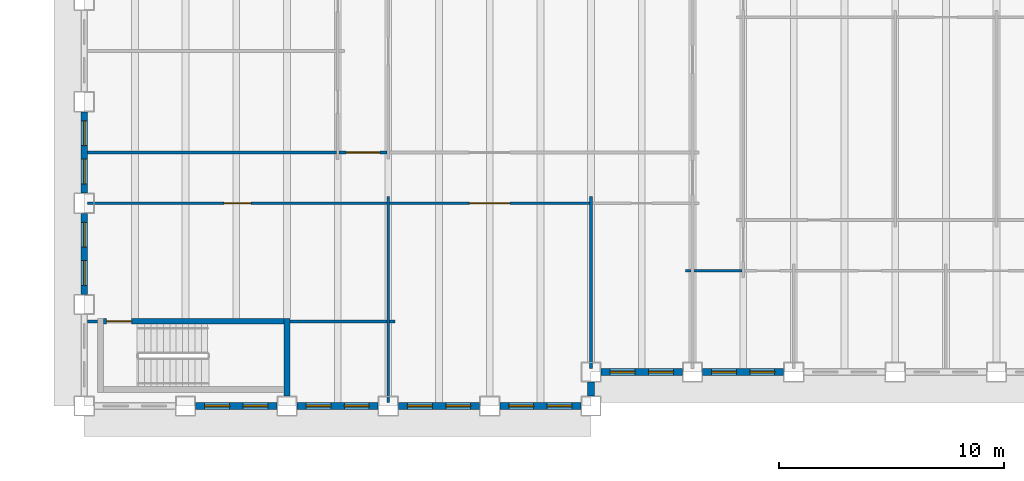
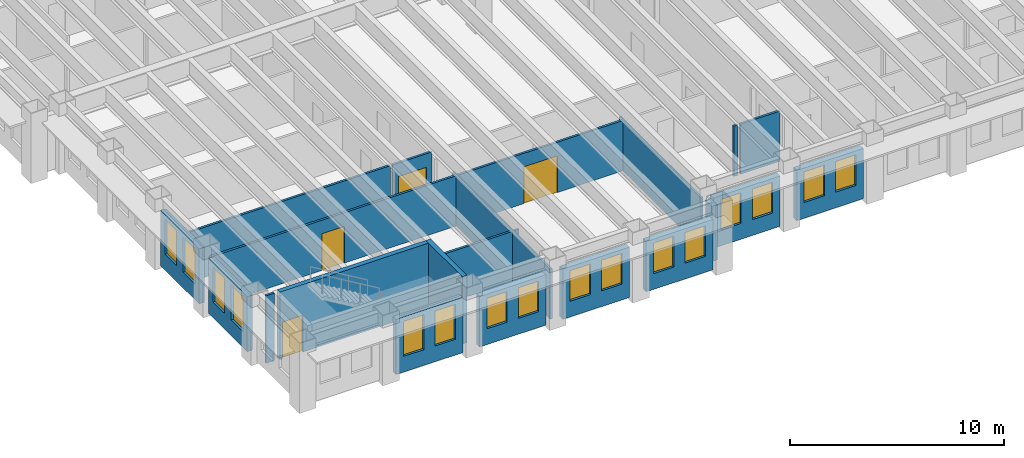
# One storey, part 3 of 16: 22 walls, 16 windows, 4 doors, 20 openings.
"""IFC4 building model written with IfcOpenShell, lengths in metres."""

from ifc_helpers import new_model, si_unit, direction, frame, frame_2d, origin, place, context, subcontext, project, spatial, rectangle, extrude, material, layer, layer_set, type_object, element, fill, save


model = new_model("IFC4")

# Units and contexts
model_context = context("Model", 3, precision=1e-05, world=origin(), true_north=direction((0.0, 1.0)))
body_context = subcontext(model_context, "Body", "Model", "MODEL_VIEW")
ifc_project = project(units=[si_unit("LENGTHUNIT", "METRE"), si_unit("AREAUNIT", "SQUARE_METRE"), si_unit("VOLUMEUNIT", "CUBIC_METRE"), si_unit("PLANEANGLEUNIT", "RADIAN"), si_unit("MASSUNIT", "GRAM", prefix="KILO")], contexts=[model_context])

# Site, building, storey
site_placement = place(None, origin())
site = spatial("IfcSite", under=ifc_project, at=site_placement, CompositionType="ELEMENT")
building_placement = place(site_placement, origin())
building = spatial("IfcBuilding", under=site, at=building_placement, Name="Sennacour Bend Tower", CompositionType="ELEMENT")
storey_placement = place(building_placement, frame((0.0, 0.0, 179.0)))
storey = spatial("IfcBuildingStorey", under=building, at=storey_placement, Name="L41", CompositionType="ELEMENT", Elevation=179.0)

# Walls
ifc_material_1 = material(Name="Plasterboard partition on steel studs", Category="steel")
ifc_layer_1 = layer(ifc_material_1, 0.1201171875, Name="Plasterboard partition on steel studs", Category="steel")
ifc_layer_set_1 = layer_set([ifc_layer_1], Name="Plasterboard partition on steel studs")
wall_type_1 = type_object("IfcWallType", Name="Partition 120", PredefinedType="PARTITIONING", material=ifc_layer_set_1)
wall_1_placement = place(storey_placement, frame((13.5, 0.14990234375, 0.0), z_axis=(0.0, 0.0, 1.0), x_axis=(0.0, 1.0, 0.0)))
element("IfcWall", 1, at=wall_1_placement, inside=storey, type_object=wall_type_1, Name="P-L41-W016a", PredefinedType="PARTITIONING", context=body_context, shape_type="SweptSolid", body=[
    extrude(rectangle(XDim=9.150146484375, YDim=0.1201171875, at=frame_2d((4.5751953125, 0.0))), origin(), (0.0, 0.0, 1.0), 2.8701171875),
])
wall_2_placement = place(storey_placement, frame((22.5, 1.64990234375, 0.0), z_axis=(0.0, 0.0, 1.0), x_axis=(0.0, 1.0, 0.0)))
element("IfcWall", 2, at=wall_2_placement, inside=storey, type_object=wall_type_1, Name="P-L41-W025a", PredefinedType="PARTITIONING", context=body_context, shape_type="SweptSolid", body=[
    extrude(rectangle(XDim=7.650146484375, YDim=0.1201171875, at=frame_2d((3.8251953125, 0.0))), origin(), (0.0, 0.0, 1.0), 2.8701171875),
])
wall_3_placement = place(storey_placement, frame((0.14990234375, 3.75, 0.0), z_axis=(0.0, 0.0, 1.0), x_axis=(1.0, 0.0, 0.0)))
element("IfcWall", 3, at=wall_3_placement, inside=storey, type_object=wall_type_1, Name="P-L41-W056a", PredefinedType="PARTITIONING", context=body_context, shape_type="SweptSolid", body=[
    extrude(rectangle(XDim=0.4501953125, YDim=0.1201171875, at=frame_2d((0.22509765625, 0.0))), origin(), (0.0, 0.0, 1.0), 3.85009765625),
])
wall_4_placement = place(storey_placement, frame((9.125, 3.75, 0.0), z_axis=(0.0, 0.0, 1.0), x_axis=(1.0, 0.0, 0.0)))
element("IfcWall", 4, at=wall_4_placement, inside=storey, type_object=wall_type_1, Name="P-L41-W058aa", PredefinedType="PARTITIONING", context=body_context, shape_type="SweptSolid", body=[
    extrude(rectangle(XDim=4.31494140625, YDim=0.1201171875, at=frame_2d((2.157470703125, 0.0))), origin(), (0.0, 0.0, 1.0), 2.8701171875),
])
for number, where, z_axis, x_axis, name in (
    (5, (13.56005859375, 3.75, 0.0), (0.0, 0.0, 1.0), (1.0, 0.0, 0.0), "P-L41-W058ab"),
    (6, (26.699951171875, 6.0, 0.0), (0.0, 0.0, 1.0), (1.0, 0.0, 0.0), "P-L41-W061aa"),
):
    element("IfcWall", number, at=place(storey_placement, frame(where, z_axis=z_axis, x_axis=x_axis)), inside=storey, type_object=wall_type_1, Name=name, PredefinedType="PARTITIONING", context=body_context, shape_type="SweptSolid", body=[
        extrude(rectangle(XDim=0.239990234375, YDim=0.1201171875, at=frame_2d((0.1201171875, 0.0))), origin(), (0.0, 0.0, 1.0), 2.8701171875),
    ])
wall_5_placement = place(storey_placement, frame((27.06005859375, 6.0, 0.0), z_axis=(0.0, 0.0, 1.0), x_axis=(1.0, 0.0, 0.0)))
element("IfcWall", 7, at=wall_5_placement, inside=storey, type_object=wall_type_1, Name="P-L41-W061ab", PredefinedType="PARTITIONING", context=body_context, shape_type="SweptSolid", body=[
    extrude(rectangle(XDim=2.1298828125, YDim=0.1201171875, at=frame_2d((1.06494140625, 0.0))), origin(), (0.0, 0.0, 1.0), 2.8701171875),
])

# Wall, opening, door
wall_6_placement = place(storey_placement, frame((13.56005859375, 9.0, 0.0), z_axis=(0.0, 0.0, 1.0), x_axis=(1.0, 0.0, 0.0)))
wall_6 = element("IfcWall", 8, at=wall_6_placement, inside=storey, type_object=wall_type_1, Name="P-L41-W064ab", PredefinedType="PARTITIONING", context=body_context, shape_type="SweptSolid", body=[
    extrude(rectangle(XDim=8.8798828125, YDim=0.1201171875, at=frame_2d((4.43994140625, 0.0))), origin(), (0.0, 0.0, 1.0), 2.8701171875),
])
opening_1_placement = place(wall_6_placement, frame((3.539794921875, 0.0, 0.0)))
opening_1 = element("IfcOpeningElement", 9, at=opening_1_placement, cuts=wall_6, Name="Opening OD3", PredefinedType="OPENING", context=body_context, shape_type="SweptSolid", body=[
    extrude(rectangle(XDim=1.800048828125, YDim=2.10009765625, at=frame_2d((0.89990234375, 1.050048828125))), frame((0.0, 0.070068359375, 0.0), z_axis=(0.0, -1.0, 0.0), x_axis=(1.0, 0.0, 0.0)), (0.0, 0.0, 1.0), 0.14013671875),
])
ifc_material_2 = material(Name="Timber", Category="wood")
door_type_1 = type_object("IfcDoorType", Name="DR-OFFICE-1800", OperationType="NOTDEFINED", PredefinedType="DOOR", material=ifc_material_2)
door_1_placement = place(opening_1_placement, origin())
door_1 = element("IfcDoor", 10, at=door_1_placement, inside=storey, type_object=door_type_1, Name="Door", OperationType="DOUBLE_DOOR_SINGLE_SWING", OverallHeight=2.10009765625, OverallWidth=1.800048828125, PredefinedType="DOOR", context=body_context, shape_type="SweptSolid", body=[
    extrude(rectangle(XDim=1.800048828125, YDim=2.10009765625, at=frame_2d((0.89990234375, 1.050048828125))), frame((0.0, 0.02490234375, 0.0), z_axis=(0.0, -1.0, 0.0), x_axis=(1.0, 0.0, 0.0)), (0.0, 0.0, 1.0), 0.050048828125),
])
fill(opening_1, door_1)

# Wall
wall_7_placement = place(storey_placement, frame((0.14990234375, 11.25, 0.0), z_axis=(0.0, 0.0, 1.0), x_axis=(1.0, 0.0, 0.0)))
element("IfcWall", 11, at=wall_7_placement, inside=storey, type_object=wall_type_1, Name="P-L41-W067aa", PredefinedType="PARTITIONING", context=body_context, shape_type="SweptSolid", body=[
    extrude(rectangle(XDim=11.0400390625, YDim=0.1201171875, at=frame_2d((5.52001953125, 0.0))), origin(), (0.0, 0.0, 1.0), 2.8701171875),
])

# Wall, opening, door
ifc_layer_2 = layer(ifc_material_1, 0.1201171875, Name="Plasterboard partition on steel studs", Category="steel")
ifc_layer_set_2 = layer_set([ifc_layer_2], Name="Plasterboard partition on steel studs")
wall_type_2 = type_object("IfcWallType", Name="Partition 120 EI 30", PredefinedType="PARTITIONING", material=ifc_layer_set_2)
wall_8_placement = place(storey_placement, frame((0.14990234375, 9.0, 0.0), z_axis=(0.0, 0.0, 1.0), x_axis=(1.0, 0.0, 0.0)))
wall_8 = element("IfcWall", 12, at=wall_8_placement, inside=storey, type_object=wall_type_2, Name="P-L41-W064aa", PredefinedType="PARTITIONING", context=body_context, shape_type="SweptSolid", body=[
    extrude(rectangle(XDim=13.2900390625, YDim=0.1201171875, at=frame_2d((6.64501953125, 0.0))), origin(), (0.0, 0.0, 1.0), 2.8701171875),
])
opening_2_placement = place(wall_8_placement, frame((6.05517578125, 0.0, 0.0)))
opening_2 = element("IfcOpeningElement", 13, at=opening_2_placement, cuts=wall_8, Name="Opening KD2", PredefinedType="OPENING", context=body_context, shape_type="SweptSolid", body=[
    extrude(rectangle(XDim=1.199951171875, YDim=2.10009765625, at=frame_2d((0.60009765625, 1.050048828125))), frame((0.0, 0.070068359375, 0.0), z_axis=(0.0, -1.0, 0.0), x_axis=(1.0, 0.0, 0.0)), (0.0, 0.0, 1.0), 0.14013671875),
])
ifc_material_3 = material(Name="Painted steel", Category="steel")
door_type_2 = type_object("IfcDoorType", Name="DR-CORRIDOR-1200", OperationType="NOTDEFINED", PredefinedType="DOOR", material=ifc_material_3)
door_2_placement = place(opening_2_placement, origin())
door_2 = element("IfcDoor", 14, at=door_2_placement, inside=storey, type_object=door_type_2, Name="Door", OperationType="SINGLE_SWING_LEFT", OverallHeight=2.10009765625, OverallWidth=1.199951171875, PredefinedType="DOOR", context=body_context, shape_type="SweptSolid", body=[
    extrude(rectangle(XDim=1.199951171875, YDim=2.10009765625, at=frame_2d((0.60009765625, 1.050048828125))), frame((0.0, 0.02490234375, 0.0), z_axis=(0.0, -1.0, 0.0), x_axis=(1.0, 0.0, 0.0)), (0.0, 0.0, 1.0), 0.050048828125),
])
fill(opening_2, door_2)

wall_9_placement = place(storey_placement, frame((11.31005859375, 11.25, 0.0), z_axis=(0.0, 0.0, 1.0), x_axis=(1.0, 0.0, 0.0)))
wall_9 = element("IfcWall", 15, at=wall_9_placement, inside=storey, type_object=wall_type_2, Name="P-L41-W067ab", PredefinedType="PARTITIONING", context=body_context, shape_type="SweptSolid", body=[
    extrude(rectangle(XDim=2.1298828125, YDim=0.1201171875, at=frame_2d((1.06494140625, 0.0))), origin(), (0.0, 0.0, 1.0), 2.8701171875),
])
opening_3_placement = place(wall_9_placement, frame((0.31494140625, 0.0, 0.0)))
opening_3 = element("IfcOpeningElement", 16, at=opening_3_placement, cuts=wall_9, Name="Opening KD", PredefinedType="OPENING", context=body_context, shape_type="SweptSolid", body=[
    extrude(rectangle(XDim=1.5, YDim=2.10009765625, at=frame_2d((0.75, 1.050048828125))), frame((0.0, 0.070068359375, 0.0), z_axis=(0.0, -1.0, 0.0), x_axis=(1.0, 0.0, 0.0)), (0.0, 0.0, 1.0), 0.14013671875),
])
door_type_3 = type_object("IfcDoorType", Name="DR-CORRIDOR-1500", OperationType="NOTDEFINED", PredefinedType="DOOR", material=ifc_material_3)
door_3_placement = place(opening_3_placement, origin())
door_3 = element("IfcDoor", 17, at=door_3_placement, inside=storey, type_object=door_type_3, Name="Door", OperationType="SINGLE_SWING_LEFT", OverallHeight=2.10009765625, OverallWidth=1.5, PredefinedType="DOOR", context=body_context, shape_type="SweptSolid", body=[
    extrude(rectangle(XDim=1.5, YDim=2.10009765625, at=frame_2d((0.75, 1.050048828125))), frame((0.0, 0.02490234375, 0.0), z_axis=(0.0, -1.0, 0.0), x_axis=(1.0, 0.0, 0.0)), (0.0, 0.0, 1.0), 0.050048828125),
])
fill(opening_3, door_3)

# Wall, openings, windows
ifc_material_4 = material(Name="Warm limestone cladding", Category="masonry")
ifc_layer_3 = layer(ifc_material_4, 0.050048828125, Name="Warm limestone cladding", Category="masonry")
ifc_material_5 = material(Name="Precast concrete C40/50", Category="concrete")
ifc_layer_4 = layer(ifc_material_5, 0.25, Name="Precast concrete C40/50", Category="concrete")
ifc_layer_set_3 = layer_set([ifc_layer_3, ifc_layer_4], Name="Precast concrete C40/50 with limestone cladding")
wall_type_3 = type_object("IfcWallType", Name="STONE-CLAD PRECAST SPANDREL 300", PredefinedType="STANDARD", material=ifc_layer_set_3)
wall_10_placement = place(storey_placement, frame((4.949951171875, 0.0, 0.0), z_axis=(0.0, 0.0, 1.0), x_axis=(1.0, 0.0, 0.0)))
wall_10 = element("IfcWall", 18, at=wall_10_placement, inside=storey, type_object=wall_type_3, Name="Stone spandrel and pier wall L41 00.01", PredefinedType="STANDARD", context=body_context, shape_type="SweptSolid", body=[
    extrude(rectangle(XDim=3.60009765625, YDim=0.300048828125, at=frame_2d((1.800048828125, 0.0))), origin(), (0.0, 0.0, 1.0), 3.14892578125),
])
opening_4_placement = place(wall_10_placement, frame((0.39990234375, 0.0, 0.89990234375)))
opening_4 = element("IfcOpeningElement", 19, at=opening_4_placement, cuts=wall_10, Name="Opening W19", PredefinedType="OPENING", context=body_context, shape_type="SweptSolid", body=[
    extrude(rectangle(XDim=1.10009765625, YDim=2.0, at=frame_2d((0.550048828125, 1.0))), frame((0.0, 0.16015625, 0.0), z_axis=(0.0, -1.0, 0.0), x_axis=(1.0, 0.0, 0.0)), (0.0, 0.0, 1.0), 0.320068359375),
])
opening_5_placement = place(wall_10_placement, frame((2.10009765625, 0.0, 0.89990234375)))
opening_5 = element("IfcOpeningElement", 20, at=opening_5_placement, cuts=wall_10, Name="Opening W19", PredefinedType="OPENING", context=body_context, shape_type="SweptSolid", body=[
    extrude(rectangle(XDim=1.10009765625, YDim=2.0, at=frame_2d((0.550048828125, 1.0))), frame((0.0, 0.16015625, 0.0), z_axis=(0.0, -1.0, 0.0), x_axis=(1.0, 0.0, 0.0)), (0.0, 0.0, 1.0), 0.320068359375),
])
ifc_material_6 = material(Name="Clear low-emissivity glass", Category="glass")
window_type_1 = type_object("IfcWindowType", Name="WIN-RIBBON-1100x2000", PartitioningType="SINGLE_PANEL", PredefinedType="WINDOW", material=ifc_material_6)
window_1_placement = place(opening_4_placement, origin())
window_1 = element("IfcWindow", 21, at=window_1_placement, inside=storey, type_object=window_type_1, Name="Ribbon window L41 00.01.0", OverallHeight=2.0, OverallWidth=1.10009765625, PartitioningType="SINGLE_PANEL", PredefinedType="WINDOW", context=body_context, shape_type="SweptSolid", body=[
    extrude(rectangle(XDim=1.10009765625, YDim=2.0, at=frame_2d((0.550048828125, 1.0))), frame((0.0, 0.030029296875, 0.0), z_axis=(0.0, -1.0, 0.0), x_axis=(1.0, 0.0, 0.0)), (0.0, 0.0, 1.0), 0.06005859375),
])
fill(opening_4, window_1)
window_2_placement = place(opening_5_placement, origin())
window_2 = element("IfcWindow", 22, at=window_2_placement, inside=storey, type_object=window_type_1, Name="Ribbon window L41 00.01.1", OverallHeight=2.0, OverallWidth=1.10009765625, PartitioningType="SINGLE_PANEL", PredefinedType="WINDOW", context=body_context, shape_type="SweptSolid", body=[
    extrude(rectangle(XDim=1.10009765625, YDim=2.0, at=frame_2d((0.550048828125, 1.0))), frame((0.0, 0.030029296875, 0.0), z_axis=(0.0, -1.0, 0.0), x_axis=(1.0, 0.0, 0.0)), (0.0, 0.0, 1.0), 0.06005859375),
])
fill(opening_5, window_2)

wall_11_placement = place(storey_placement, frame((9.449951171875, 0.0, 0.0), z_axis=(0.0, 0.0, 1.0), x_axis=(1.0, 0.0, 0.0)))
wall_11 = element("IfcWall", 23, at=wall_11_placement, inside=storey, type_object=wall_type_3, Name="Stone spandrel and pier wall L41 00.02", PredefinedType="STANDARD", context=body_context, shape_type="SweptSolid", body=[
    extrude(rectangle(XDim=3.60009765625, YDim=0.300048828125, at=frame_2d((1.800048828125, 0.0))), origin(), (0.0, 0.0, 1.0), 2.8701171875),
])
opening_6_placement = place(wall_11_placement, frame((0.39990234375, 0.0, 0.89990234375)))
opening_6 = element("IfcOpeningElement", 24, at=opening_6_placement, cuts=wall_11, Name="Opening W17", PredefinedType="OPENING", context=body_context, shape_type="SweptSolid", body=[
    extrude(rectangle(XDim=1.10009765625, YDim=1.75, at=frame_2d((0.550048828125, 0.875))), frame((0.0, 0.16015625, 0.0), z_axis=(0.0, -1.0, 0.0), x_axis=(1.0, 0.0, 0.0)), (0.0, 0.0, 1.0), 0.320068359375),
])
opening_7_placement = place(wall_11_placement, frame((2.10009765625, 0.0, 0.89990234375)))
opening_7 = element("IfcOpeningElement", 25, at=opening_7_placement, cuts=wall_11, Name="Opening W17", PredefinedType="OPENING", context=body_context, shape_type="SweptSolid", body=[
    extrude(rectangle(XDim=1.10009765625, YDim=1.75, at=frame_2d((0.550048828125, 0.875))), frame((0.0, 0.16015625, 0.0), z_axis=(0.0, -1.0, 0.0), x_axis=(1.0, 0.0, 0.0)), (0.0, 0.0, 1.0), 0.320068359375),
])
window_type_2 = type_object("IfcWindowType", Name="WIN-RIBBON-1100x1750", PartitioningType="SINGLE_PANEL", PredefinedType="WINDOW", material=ifc_material_6)
window_3_placement = place(opening_6_placement, origin())
window_3 = element("IfcWindow", 26, at=window_3_placement, inside=storey, type_object=window_type_2, Name="Ribbon window L41 00.02.0", OverallHeight=1.75, OverallWidth=1.10009765625, PartitioningType="SINGLE_PANEL", PredefinedType="WINDOW", context=body_context, shape_type="SweptSolid", body=[
    extrude(rectangle(XDim=1.10009765625, YDim=1.75, at=frame_2d((0.550048828125, 0.875))), frame((0.0, 0.030029296875, 0.0), z_axis=(0.0, -1.0, 0.0), x_axis=(1.0, 0.0, 0.0)), (0.0, 0.0, 1.0), 0.06005859375),
])
fill(opening_6, window_3)
window_4_placement = place(opening_7_placement, origin())
window_4 = element("IfcWindow", 27, at=window_4_placement, inside=storey, type_object=window_type_2, Name="Ribbon window L41 00.02.1", OverallHeight=1.75, OverallWidth=1.10009765625, PartitioningType="SINGLE_PANEL", PredefinedType="WINDOW", context=body_context, shape_type="SweptSolid", body=[
    extrude(rectangle(XDim=1.10009765625, YDim=1.75, at=frame_2d((0.550048828125, 0.875))), frame((0.0, 0.030029296875, 0.0), z_axis=(0.0, -1.0, 0.0), x_axis=(1.0, 0.0, 0.0)), (0.0, 0.0, 1.0), 0.06005859375),
])
fill(opening_7, window_4)

wall_12_placement = place(storey_placement, frame((13.949951171875, 0.0, 0.0), z_axis=(0.0, 0.0, 1.0), x_axis=(1.0, 0.0, 0.0)))
wall_12 = element("IfcWall", 28, at=wall_12_placement, inside=storey, type_object=wall_type_3, Name="Stone spandrel and pier wall L41 00.03", PredefinedType="STANDARD", context=body_context, shape_type="SweptSolid", body=[
    extrude(rectangle(XDim=3.60009765625, YDim=0.300048828125, at=frame_2d((1.800048828125, 0.0))), origin(), (0.0, 0.0, 1.0), 2.8701171875),
])
opening_8_placement = place(wall_12_placement, frame((0.39990234375, 0.0, 0.89990234375)))
opening_8 = element("IfcOpeningElement", 29, at=opening_8_placement, cuts=wall_12, Name="Opening W17", PredefinedType="OPENING", context=body_context, shape_type="SweptSolid", body=[
    extrude(rectangle(XDim=1.10009765625, YDim=1.75, at=frame_2d((0.550048828125, 0.875))), frame((0.0, 0.16015625, 0.0), z_axis=(0.0, -1.0, 0.0), x_axis=(1.0, 0.0, 0.0)), (0.0, 0.0, 1.0), 0.320068359375),
])
opening_9_placement = place(wall_12_placement, frame((2.10009765625, 0.0, 0.89990234375)))
opening_9 = element("IfcOpeningElement", 30, at=opening_9_placement, cuts=wall_12, Name="Opening W17", PredefinedType="OPENING", context=body_context, shape_type="SweptSolid", body=[
    extrude(rectangle(XDim=1.10009765625, YDim=1.75, at=frame_2d((0.550048828125, 0.875))), frame((0.0, 0.16015625, 0.0), z_axis=(0.0, -1.0, 0.0), x_axis=(1.0, 0.0, 0.0)), (0.0, 0.0, 1.0), 0.320068359375),
])
window_5_placement = place(opening_8_placement, origin())
window_5 = element("IfcWindow", 31, at=window_5_placement, inside=storey, type_object=window_type_2, Name="Ribbon window L41 00.03.0", OverallHeight=1.75, OverallWidth=1.10009765625, PartitioningType="SINGLE_PANEL", PredefinedType="WINDOW", context=body_context, shape_type="SweptSolid", body=[
    extrude(rectangle(XDim=1.10009765625, YDim=1.75, at=frame_2d((0.550048828125, 0.875))), frame((0.0, 0.030029296875, 0.0), z_axis=(0.0, -1.0, 0.0), x_axis=(1.0, 0.0, 0.0)), (0.0, 0.0, 1.0), 0.06005859375),
])
fill(opening_8, window_5)
window_6_placement = place(opening_9_placement, origin())
window_6 = element("IfcWindow", 32, at=window_6_placement, inside=storey, type_object=window_type_2, Name="Ribbon window L41 00.03.1", OverallHeight=1.75, OverallWidth=1.10009765625, PartitioningType="SINGLE_PANEL", PredefinedType="WINDOW", context=body_context, shape_type="SweptSolid", body=[
    extrude(rectangle(XDim=1.10009765625, YDim=1.75, at=frame_2d((0.550048828125, 0.875))), frame((0.0, 0.030029296875, 0.0), z_axis=(0.0, -1.0, 0.0), x_axis=(1.0, 0.0, 0.0)), (0.0, 0.0, 1.0), 0.06005859375),
])
fill(opening_9, window_6)

wall_13_placement = place(storey_placement, frame((18.449951171875, 0.0, 0.0), z_axis=(0.0, 0.0, 1.0), x_axis=(1.0, 0.0, 0.0)))
wall_13 = element("IfcWall", 33, at=wall_13_placement, inside=storey, type_object=wall_type_3, Name="Stone spandrel and pier wall L41 00.04", PredefinedType="STANDARD", context=body_context, shape_type="SweptSolid", body=[
    extrude(rectangle(XDim=3.60009765625, YDim=0.300048828125, at=frame_2d((1.800048828125, 0.0))), origin(), (0.0, 0.0, 1.0), 2.8701171875),
])
opening_10_placement = place(wall_13_placement, frame((0.39990234375, 0.0, 0.89990234375)))
opening_10 = element("IfcOpeningElement", 34, at=opening_10_placement, cuts=wall_13, Name="Opening W17", PredefinedType="OPENING", context=body_context, shape_type="SweptSolid", body=[
    extrude(rectangle(XDim=1.10009765625, YDim=1.75, at=frame_2d((0.550048828125, 0.875))), frame((0.0, 0.16015625, 0.0), z_axis=(0.0, -1.0, 0.0), x_axis=(1.0, 0.0, 0.0)), (0.0, 0.0, 1.0), 0.320068359375),
])
opening_11_placement = place(wall_13_placement, frame((2.10009765625, 0.0, 0.89990234375)))
opening_11 = element("IfcOpeningElement", 35, at=opening_11_placement, cuts=wall_13, Name="Opening W17", PredefinedType="OPENING", context=body_context, shape_type="SweptSolid", body=[
    extrude(rectangle(XDim=1.10009765625, YDim=1.75, at=frame_2d((0.550048828125, 0.875))), frame((0.0, 0.16015625, 0.0), z_axis=(0.0, -1.0, 0.0), x_axis=(1.0, 0.0, 0.0)), (0.0, 0.0, 1.0), 0.320068359375),
])
window_7_placement = place(opening_10_placement, origin())
window_7 = element("IfcWindow", 36, at=window_7_placement, inside=storey, type_object=window_type_2, Name="Ribbon window L41 00.04.0", OverallHeight=1.75, OverallWidth=1.10009765625, PartitioningType="SINGLE_PANEL", PredefinedType="WINDOW", context=body_context, shape_type="SweptSolid", body=[
    extrude(rectangle(XDim=1.10009765625, YDim=1.75, at=frame_2d((0.550048828125, 0.875))), frame((0.0, 0.030029296875, 0.0), z_axis=(0.0, -1.0, 0.0), x_axis=(1.0, 0.0, 0.0)), (0.0, 0.0, 1.0), 0.06005859375),
])
fill(opening_10, window_7)
window_8_placement = place(opening_11_placement, origin())
window_8 = element("IfcWindow", 37, at=window_8_placement, inside=storey, type_object=window_type_2, Name="Ribbon window L41 00.04.1", OverallHeight=1.75, OverallWidth=1.10009765625, PartitioningType="SINGLE_PANEL", PredefinedType="WINDOW", context=body_context, shape_type="SweptSolid", body=[
    extrude(rectangle(XDim=1.10009765625, YDim=1.75, at=frame_2d((0.550048828125, 0.875))), frame((0.0, 0.030029296875, 0.0), z_axis=(0.0, -1.0, 0.0), x_axis=(1.0, 0.0, 0.0)), (0.0, 0.0, 1.0), 0.06005859375),
])
fill(opening_11, window_8)

# Wall
wall_14_placement = place(storey_placement, frame((22.5, 0.449951171875, 0.0), z_axis=(0.0, 0.0, 1.0), x_axis=(0.0, 1.0, 0.0)))
element("IfcWall", 38, at=wall_14_placement, inside=storey, type_object=wall_type_3, Name="Stone spandrel and pier wall L41 01.00", PredefinedType="STANDARD", context=body_context, shape_type="SweptSolid", body=[
    extrude(rectangle(XDim=0.60009765625, YDim=0.300048828125, at=frame_2d((0.300048828125, 0.0))), origin(), (0.0, 0.0, 1.0), 3.14892578125),
])

# Wall, openings, windows
wall_15_placement = place(storey_placement, frame((22.949951171875, 1.5, 0.0), z_axis=(0.0, 0.0, 1.0), x_axis=(1.0, 0.0, 0.0)))
wall_15 = element("IfcWall", 39, at=wall_15_placement, inside=storey, type_object=wall_type_3, Name="Stone spandrel and pier wall L41 02.00", PredefinedType="STANDARD", context=body_context, shape_type="SweptSolid", body=[
    extrude(rectangle(XDim=3.60009765625, YDim=0.300048828125, at=frame_2d((1.800048828125, 0.0))), origin(), (0.0, 0.0, 1.0), 2.8701171875),
])
opening_12_placement = place(wall_15_placement, frame((0.39990234375, 0.0, 0.89990234375)))
opening_12 = element("IfcOpeningElement", 40, at=opening_12_placement, cuts=wall_15, Name="Opening W17", PredefinedType="OPENING", context=body_context, shape_type="SweptSolid", body=[
    extrude(rectangle(XDim=1.10009765625, YDim=1.75, at=frame_2d((0.550048828125, 0.875))), frame((0.0, 0.16015625, 0.0), z_axis=(0.0, -1.0, 0.0), x_axis=(1.0, 0.0, 0.0)), (0.0, 0.0, 1.0), 0.320068359375),
])
opening_13_placement = place(wall_15_placement, frame((2.10009765625, 0.0, 0.89990234375)))
opening_13 = element("IfcOpeningElement", 41, at=opening_13_placement, cuts=wall_15, Name="Opening W17", PredefinedType="OPENING", context=body_context, shape_type="SweptSolid", body=[
    extrude(rectangle(XDim=1.10009765625, YDim=1.75, at=frame_2d((0.550048828125, 0.875))), frame((0.0, 0.16015625, 0.0), z_axis=(0.0, -1.0, 0.0), x_axis=(1.0, 0.0, 0.0)), (0.0, 0.0, 1.0), 0.320068359375),
])
window_9_placement = place(opening_12_placement, origin())
window_9 = element("IfcWindow", 42, at=window_9_placement, inside=storey, type_object=window_type_2, Name="Ribbon window L41 02.00.0", OverallHeight=1.75, OverallWidth=1.10009765625, PartitioningType="SINGLE_PANEL", PredefinedType="WINDOW", context=body_context, shape_type="SweptSolid", body=[
    extrude(rectangle(XDim=1.10009765625, YDim=1.75, at=frame_2d((0.550048828125, 0.875))), frame((0.0, 0.030029296875, 0.0), z_axis=(0.0, -1.0, 0.0), x_axis=(1.0, 0.0, 0.0)), (0.0, 0.0, 1.0), 0.06005859375),
])
fill(opening_12, window_9)
window_10_placement = place(opening_13_placement, origin())
window_10 = element("IfcWindow", 43, at=window_10_placement, inside=storey, type_object=window_type_2, Name="Ribbon window L41 02.00.1", OverallHeight=1.75, OverallWidth=1.10009765625, PartitioningType="SINGLE_PANEL", PredefinedType="WINDOW", context=body_context, shape_type="SweptSolid", body=[
    extrude(rectangle(XDim=1.10009765625, YDim=1.75, at=frame_2d((0.550048828125, 0.875))), frame((0.0, 0.030029296875, 0.0), z_axis=(0.0, -1.0, 0.0), x_axis=(1.0, 0.0, 0.0)), (0.0, 0.0, 1.0), 0.06005859375),
])
fill(opening_13, window_10)

wall_16_placement = place(storey_placement, frame((27.449951171875, 1.5, 0.0), z_axis=(0.0, 0.0, 1.0), x_axis=(1.0, 0.0, 0.0)))
wall_16 = element("IfcWall", 44, at=wall_16_placement, inside=storey, type_object=wall_type_3, Name="Stone spandrel and pier wall L41 02.01", PredefinedType="STANDARD", context=body_context, shape_type="SweptSolid", body=[
    extrude(rectangle(XDim=3.60009765625, YDim=0.300048828125, at=frame_2d((1.800048828125, 0.0))), origin(), (0.0, 0.0, 1.0), 2.8701171875),
])
opening_14_placement = place(wall_16_placement, frame((0.39990234375, 0.0, 0.89990234375)))
opening_14 = element("IfcOpeningElement", 45, at=opening_14_placement, cuts=wall_16, Name="Opening W17", PredefinedType="OPENING", context=body_context, shape_type="SweptSolid", body=[
    extrude(rectangle(XDim=1.10009765625, YDim=1.75, at=frame_2d((0.550048828125, 0.875))), frame((0.0, 0.16015625, 0.0), z_axis=(0.0, -1.0, 0.0), x_axis=(1.0, 0.0, 0.0)), (0.0, 0.0, 1.0), 0.320068359375),
])
opening_15_placement = place(wall_16_placement, frame((2.10009765625, 0.0, 0.89990234375)))
opening_15 = element("IfcOpeningElement", 46, at=opening_15_placement, cuts=wall_16, Name="Opening W17", PredefinedType="OPENING", context=body_context, shape_type="SweptSolid", body=[
    extrude(rectangle(XDim=1.10009765625, YDim=1.75, at=frame_2d((0.550048828125, 0.875))), frame((0.0, 0.16015625, 0.0), z_axis=(0.0, -1.0, 0.0), x_axis=(1.0, 0.0, 0.0)), (0.0, 0.0, 1.0), 0.320068359375),
])
window_11_placement = place(opening_14_placement, origin())
window_11 = element("IfcWindow", 47, at=window_11_placement, inside=storey, type_object=window_type_2, Name="Ribbon window L41 02.01.0", OverallHeight=1.75, OverallWidth=1.10009765625, PartitioningType="SINGLE_PANEL", PredefinedType="WINDOW", context=body_context, shape_type="SweptSolid", body=[
    extrude(rectangle(XDim=1.10009765625, YDim=1.75, at=frame_2d((0.550048828125, 0.875))), frame((0.0, 0.030029296875, 0.0), z_axis=(0.0, -1.0, 0.0), x_axis=(1.0, 0.0, 0.0)), (0.0, 0.0, 1.0), 0.06005859375),
])
fill(opening_14, window_11)
window_12_placement = place(opening_15_placement, origin())
window_12 = element("IfcWindow", 48, at=window_12_placement, inside=storey, type_object=window_type_2, Name="Ribbon window L41 02.01.1", OverallHeight=1.75, OverallWidth=1.10009765625, PartitioningType="SINGLE_PANEL", PredefinedType="WINDOW", context=body_context, shape_type="SweptSolid", body=[
    extrude(rectangle(XDim=1.10009765625, YDim=1.75, at=frame_2d((0.550048828125, 0.875))), frame((0.0, 0.030029296875, 0.0), z_axis=(0.0, -1.0, 0.0), x_axis=(1.0, 0.0, 0.0)), (0.0, 0.0, 1.0), 0.06005859375),
])
fill(opening_15, window_12)

wall_17_placement = place(storey_placement, frame((0.0, 13.050048828125, 0.0), z_axis=(0.0, 0.0, 1.0), x_axis=(0.0, -1.0, 0.0)))
wall_17 = element("IfcWall", 49, at=wall_17_placement, inside=storey, type_object=wall_type_3, Name="Stone spandrel and pier wall L41 23.02", PredefinedType="STANDARD", context=body_context, shape_type="SweptSolid", body=[
    extrude(rectangle(XDim=3.60009765625, YDim=0.300048828125, at=frame_2d((1.800048828125, 0.0))), origin(), (0.0, 0.0, 1.0), 3.14892578125),
])
opening_16_placement = place(wall_17_placement, frame((0.39990234375, 0.0, 0.89990234375)))
opening_16 = element("IfcOpeningElement", 50, at=opening_16_placement, cuts=wall_17, Name="Opening W19", PredefinedType="OPENING", context=body_context, shape_type="SweptSolid", body=[
    extrude(rectangle(XDim=1.10009765625, YDim=2.0, at=frame_2d((0.550048828125, 1.0))), frame((0.0, 0.16015625, 0.0), z_axis=(0.0, -1.0, 0.0), x_axis=(1.0, 0.0, 0.0)), (0.0, 0.0, 1.0), 0.320068359375),
])
opening_17_placement = place(wall_17_placement, frame((2.10009765625, 0.0, 0.89990234375)))
opening_17 = element("IfcOpeningElement", 51, at=opening_17_placement, cuts=wall_17, Name="Opening W19", PredefinedType="OPENING", context=body_context, shape_type="SweptSolid", body=[
    extrude(rectangle(XDim=1.10009765625, YDim=2.0, at=frame_2d((0.550048828125, 1.0))), frame((0.0, 0.16015625, 0.0), z_axis=(0.0, -1.0, 0.0), x_axis=(1.0, 0.0, 0.0)), (0.0, 0.0, 1.0), 0.320068359375),
])
window_13_placement = place(opening_16_placement, origin())
window_13 = element("IfcWindow", 52, at=window_13_placement, inside=storey, type_object=window_type_1, Name="Ribbon window L41 23.02.0", OverallHeight=2.0, OverallWidth=1.10009765625, PartitioningType="SINGLE_PANEL", PredefinedType="WINDOW", context=body_context, shape_type="SweptSolid", body=[
    extrude(rectangle(XDim=1.10009765625, YDim=2.0, at=frame_2d((0.550048828125, 1.0))), frame((0.0, 0.030029296875, 0.0), z_axis=(0.0, -1.0, 0.0), x_axis=(1.0, 0.0, 0.0)), (0.0, 0.0, 1.0), 0.06005859375),
])
fill(opening_16, window_13)
window_14_placement = place(opening_17_placement, origin())
window_14 = element("IfcWindow", 53, at=window_14_placement, inside=storey, type_object=window_type_1, Name="Ribbon window L41 23.02.1", OverallHeight=2.0, OverallWidth=1.10009765625, PartitioningType="SINGLE_PANEL", PredefinedType="WINDOW", context=body_context, shape_type="SweptSolid", body=[
    extrude(rectangle(XDim=1.10009765625, YDim=2.0, at=frame_2d((0.550048828125, 1.0))), frame((0.0, 0.030029296875, 0.0), z_axis=(0.0, -1.0, 0.0), x_axis=(1.0, 0.0, 0.0)), (0.0, 0.0, 1.0), 0.06005859375),
])
fill(opening_17, window_14)

wall_18_placement = place(storey_placement, frame((0.0, 8.550048828125, 0.0), z_axis=(0.0, 0.0, 1.0), x_axis=(0.0, -1.0, 0.0)))
wall_18 = element("IfcWall", 54, at=wall_18_placement, inside=storey, type_object=wall_type_3, Name="Stone spandrel and pier wall L41 23.03", PredefinedType="STANDARD", context=body_context, shape_type="SweptSolid", body=[
    extrude(rectangle(XDim=3.60009765625, YDim=0.300048828125, at=frame_2d((1.800048828125, 0.0))), origin(), (0.0, 0.0, 1.0), 3.14892578125),
])
opening_18_placement = place(wall_18_placement, frame((0.39990234375, 0.0, 0.89990234375)))
opening_18 = element("IfcOpeningElement", 55, at=opening_18_placement, cuts=wall_18, Name="Opening W19", PredefinedType="OPENING", context=body_context, shape_type="SweptSolid", body=[
    extrude(rectangle(XDim=1.10009765625, YDim=2.0, at=frame_2d((0.550048828125, 1.0))), frame((0.0, 0.16015625, 0.0), z_axis=(0.0, -1.0, 0.0), x_axis=(1.0, 0.0, 0.0)), (0.0, 0.0, 1.0), 0.320068359375),
])
opening_19_placement = place(wall_18_placement, frame((2.10009765625, 0.0, 0.89990234375)))
opening_19 = element("IfcOpeningElement", 56, at=opening_19_placement, cuts=wall_18, Name="Opening W19", PredefinedType="OPENING", context=body_context, shape_type="SweptSolid", body=[
    extrude(rectangle(XDim=1.10009765625, YDim=2.0, at=frame_2d((0.550048828125, 1.0))), frame((0.0, 0.16015625, 0.0), z_axis=(0.0, -1.0, 0.0), x_axis=(1.0, 0.0, 0.0)), (0.0, 0.0, 1.0), 0.320068359375),
])
window_15_placement = place(opening_18_placement, origin())
window_15 = element("IfcWindow", 57, at=window_15_placement, inside=storey, type_object=window_type_1, Name="Ribbon window L41 23.03.0", OverallHeight=2.0, OverallWidth=1.10009765625, PartitioningType="SINGLE_PANEL", PredefinedType="WINDOW", context=body_context, shape_type="SweptSolid", body=[
    extrude(rectangle(XDim=1.10009765625, YDim=2.0, at=frame_2d((0.550048828125, 1.0))), frame((0.0, 0.030029296875, 0.0), z_axis=(0.0, -1.0, 0.0), x_axis=(1.0, 0.0, 0.0)), (0.0, 0.0, 1.0), 0.06005859375),
])
fill(opening_18, window_15)
window_16_placement = place(opening_19_placement, origin())
window_16 = element("IfcWindow", 58, at=window_16_placement, inside=storey, type_object=window_type_1, Name="Ribbon window L41 23.03.1", OverallHeight=2.0, OverallWidth=1.10009765625, PartitioningType="SINGLE_PANEL", PredefinedType="WINDOW", context=body_context, shape_type="SweptSolid", body=[
    extrude(rectangle(XDim=1.10009765625, YDim=2.0, at=frame_2d((0.550048828125, 1.0))), frame((0.0, 0.030029296875, 0.0), z_axis=(0.0, -1.0, 0.0), x_axis=(1.0, 0.0, 0.0)), (0.0, 0.0, 1.0), 0.06005859375),
])
fill(opening_19, window_16)

# Wall
ifc_material_7 = material(Name="Concrete C60/75", Category="concrete")
ifc_layer_5 = layer(ifc_material_7, 0.25, Name="Concrete C60/75", Category="concrete")
ifc_layer_set_4 = layer_set([ifc_layer_5], Name="Concrete C60/75")
wall_type_4 = type_object("IfcWallType", Name="Stair wall 250", PredefinedType="SHEAR", material=ifc_layer_set_4)
wall_19_placement = place(storey_placement, frame((9.0, 0.449951171875, 0.0), z_axis=(0.0, 0.0, 1.0), x_axis=(0.0, 1.0, 0.0)))
element("IfcWall", 59, at=wall_19_placement, inside=storey, type_object=wall_type_4, Name="P-L41-W010", PredefinedType="SHEAR", context=body_context, shape_type="SweptSolid", body=[
    extrude(rectangle(XDim=3.425048828125, YDim=0.25, at=frame_2d((1.71240234375, 0.0))), origin(), (0.0, 0.0, 1.0), 3.85009765625),
])

# Wall, opening, door
wall_20_placement = place(storey_placement, frame((0.85009765625, 3.75, 0.0), z_axis=(0.0, 0.0, 1.0), x_axis=(1.0, 0.0, 0.0)))
wall_20 = element("IfcWall", 60, at=wall_20_placement, inside=storey, type_object=wall_type_4, Name="P-L41-W057", PredefinedType="SHEAR", context=body_context, shape_type="SweptSolid", body=[
    extrude(rectangle(XDim=8.02490234375, YDim=0.25, at=frame_2d((4.012451171875, 0.0))), origin(), (0.0, 0.0, 1.0), 3.85009765625),
])
opening_20_placement = place(wall_20_placement, frame((0.14990234375, 0.0, 0.0)))
opening_20 = element("IfcOpeningElement", 61, at=opening_20_placement, cuts=wall_20, Name="Opening SD", PredefinedType="OPENING", context=body_context, shape_type="SweptSolid", body=[
    extrude(rectangle(XDim=1.10009765625, YDim=2.10009765625, at=frame_2d((0.550048828125, 1.050048828125))), frame((0.0, 0.135009765625, 0.0), z_axis=(0.0, -1.0, 0.0), x_axis=(1.0, 0.0, 0.0)), (0.0, 0.0, 1.0), 0.27001953125),
])
door_type_4 = type_object("IfcDoorType", Name="DR-STAIR-1100", OperationType="NOTDEFINED", PredefinedType="DOOR", material=ifc_material_3)
door_4_placement = place(opening_20_placement, origin())
door_4 = element("IfcDoor", 62, at=door_4_placement, inside=storey, type_object=door_type_4, Name="Door", OperationType="SINGLE_SWING_LEFT", OverallHeight=2.10009765625, OverallWidth=1.10009765625, PredefinedType="DOOR", context=body_context, shape_type="SweptSolid", body=[
    extrude(rectangle(XDim=1.10009765625, YDim=2.10009765625, at=frame_2d((0.550048828125, 1.050048828125))), frame((0.0, 0.02490234375, 0.0), z_axis=(0.0, -1.0, 0.0), x_axis=(1.0, 0.0, 0.0)), (0.0, 0.0, 1.0), 0.050048828125),
])
fill(opening_20, door_4)

save(model, "model.ifc")
